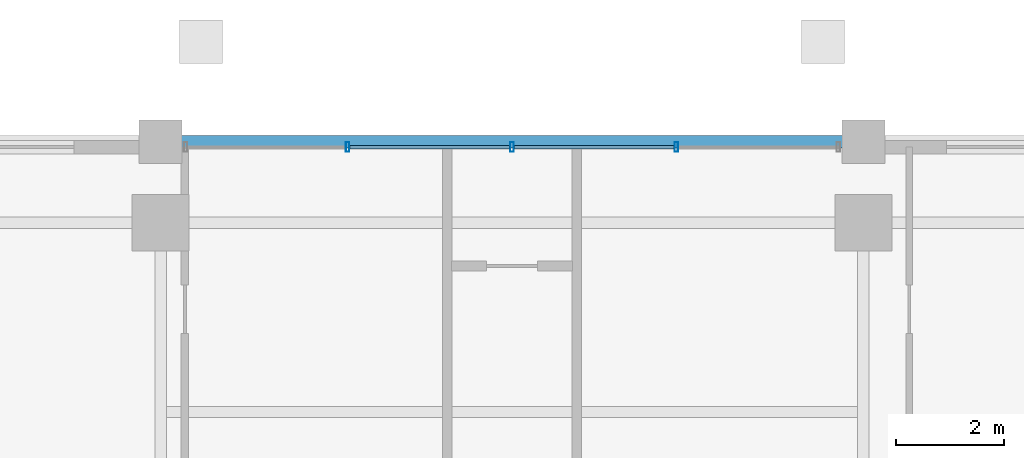
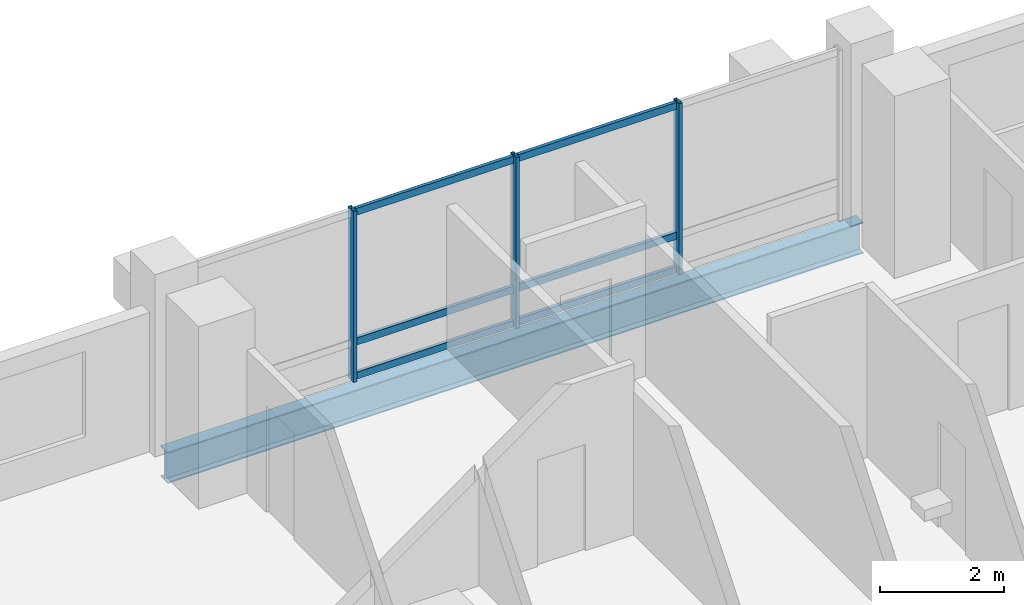
# One storey, part 15 of 24: 9 members, 1 beam, 1 element without a shape of its own.
"""IFC4 building model written with IfcOpenShell, lengths in metres."""

from ifc_helpers import new_model, si_unit, direction, frame, origin, origin_2d, place, context, subcontext, project, spatial, hollow_rectangle, i_section, extrude, material, layer, layer_set, material_profile, profile_set, type_object, element, aggregate, save


model = new_model("IFC4")

# Units and contexts
model_context = context("Model", 3, precision=1e-05, world=origin(), true_north=direction((0.0, 1.0)))
body_context = subcontext(model_context, "Body", "Model", "MODEL_VIEW")
ifc_project = project(units=[si_unit("LENGTHUNIT", "METRE"), si_unit("AREAUNIT", "SQUARE_METRE"), si_unit("VOLUMEUNIT", "CUBIC_METRE"), si_unit("PLANEANGLEUNIT", "RADIAN"), si_unit("MASSUNIT", "GRAM", prefix="KILO")], contexts=[model_context])

# Site, building, storey
site_placement = place(None, origin())
site = spatial("IfcSite", under=ifc_project, at=site_placement, CompositionType="ELEMENT")
building_placement = place(site_placement, origin())
building = spatial("IfcBuilding", under=site, at=building_placement, Name="Barlavira Tower and Art Museum", CompositionType="ELEMENT")
storey_placement = place(building_placement, frame((0.0, 0.0, 169.199951171875)))
storey = spatial("IfcBuildingStorey", under=building, at=storey_placement, Name="L43", CompositionType="ELEMENT", Elevation=169.199951171875)

# Curtain wall, members
ifc_material_1 = material(Name="Low-iron coastal laminated glass", Category="glass")
ifc_layer = layer(ifc_material_1, 0.199951171875, Name="Low-iron coastal laminated glass")
ifc_layer_set = layer_set([ifc_layer], Name="Low-iron coastal laminated glass")
curtain_wall_type = type_object("IfcCurtainWallType", Name="Pale-Metal Unitised Curtain Wall Zone 3", PredefinedType="NOTDEFINED", material=ifc_layer_set)
curtain_wall_placement = place(storey_placement, origin())
curtain_wall = element("IfcCurtainWall", 1, at=curtain_wall_placement, inside=storey, type_object=curtain_wall_type, Name="L43 Curtain Wall CW3-L43-N-B3", PredefinedType="NOTDEFINED")
ifc_material_2 = material(Name="Pale anodised aluminium", Category="aluminium")
ifc_material_profile_1 = material_profile(ifc_material_2, hollow_rectangle(XDim=0.06494140625, YDim=0.179931640625, WallThickness=0.00390625, at=origin_2d()), Name="ALU-MULL 65x180x4")
ifc_profile_set_1 = profile_set([ifc_material_profile_1], Name="Pale anodised aluminium")
member_type_1 = type_object("IfcMemberType", Name="Curtain Wall Pale-Metal Mullion 65x180", PredefinedType="MULLION", material=ifc_profile_set_1)
member_1_placement = place(storey_placement, frame((3.0400390625, 21.39990234375, 0.0), z_axis=(0.0, 0.0, 1.0), x_axis=(-1.0, 0.0, 0.0)))
member_1 = element("IfcMember", 2, at=member_1_placement, type_object=member_type_1, Name="CW3-L43-N-B3 Mullion 1", PredefinedType="MULLION", context=body_context, shape_type="SweptSolid", body=[
    extrude(hollow_rectangle(XDim=0.06494140625, YDim=0.179931640625, WallThickness=0.00390625, at=origin_2d()), origin(), (0.0, 0.0, 1.0), 3.380126953125),
])
member_2_placement = place(storey_placement, frame((0.0, 21.39990234375, 0.0), z_axis=(0.0, 0.0, 1.0), x_axis=(-1.0, 0.0, 0.0)))
member_2 = element("IfcMember", 3, at=member_2_placement, type_object=member_type_1, Name="CW3-L43-N-B3 Mullion 2", PredefinedType="MULLION", context=body_context, shape_type="SweptSolid", body=[
    extrude(hollow_rectangle(XDim=0.06494140625, YDim=0.179931640625, WallThickness=0.00390625, at=origin_2d()), origin(), (0.0, 0.0, 1.0), 3.380126953125),
])
member_3_placement = place(storey_placement, frame((-3.0400390625, 21.39990234375, 0.0), z_axis=(0.0, 0.0, 1.0), x_axis=(-1.0, 0.0, 0.0)))
member_3 = element("IfcMember", 4, at=member_3_placement, type_object=member_type_1, Name="CW3-L43-N-B3 Mullion 3", PredefinedType="MULLION", context=body_context, shape_type="SweptSolid", body=[
    extrude(hollow_rectangle(XDim=0.06494140625, YDim=0.179931640625, WallThickness=0.00390625, at=origin_2d()), origin(), (0.0, 0.0, 1.0), 3.380126953125),
])
ifc_material_profile_2 = material_profile(ifc_material_2, hollow_rectangle(XDim=0.06494140625, YDim=0.139892578125, WallThickness=0.00390625, at=origin_2d()), Name="ALU-TRAN 65x140x4")
ifc_profile_set_2 = profile_set([ifc_material_profile_2], Name="Pale anodised aluminium")
member_type_2 = type_object("IfcMemberType", Name="Curtain Wall Pale-Metal Transom 65x140", PredefinedType="USERDEFINED", material=ifc_profile_set_2)
member_4_placement = place(storey_placement, frame((2.9951171875, 21.39990234375, 0.070068359375), z_axis=(-1.0, 0.0, 0.0), x_axis=(0.0, -1.0, 0.0)))
member_4 = element("IfcMember", 5, at=member_4_placement, type_object=member_type_2, Name="CW3-L43-N-B3 Transom 1.1", ObjectType="TRANSOM", PredefinedType="USERDEFINED", context=body_context, shape_type="SweptSolid", body=[
    extrude(hollow_rectangle(XDim=0.06494140625, YDim=0.139892578125, WallThickness=0.00390625, at=origin_2d()), origin(), (0.0, 0.0, 1.0), 2.9501953125),
])
member_5_placement = place(storey_placement, frame((2.9951171875, 21.39990234375, 0.744140625), z_axis=(-1.0, 0.0, 0.0), x_axis=(0.0, -1.0, 0.0)))
member_5 = element("IfcMember", 6, at=member_5_placement, type_object=member_type_2, Name="CW3-L43-N-B3 Transom 1.2", ObjectType="TRANSOM", PredefinedType="USERDEFINED", context=body_context, shape_type="SweptSolid", body=[
    extrude(hollow_rectangle(XDim=0.06494140625, YDim=0.139892578125, WallThickness=0.00390625, at=origin_2d()), origin(), (0.0, 0.0, 1.0), 2.9501953125),
])
member_6_placement = place(storey_placement, frame((2.9951171875, 21.39990234375, 3.31005859375), z_axis=(-1.0, 0.0, 0.0), x_axis=(0.0, -1.0, 0.0)))
member_6 = element("IfcMember", 7, at=member_6_placement, type_object=member_type_2, Name="CW3-L43-N-B3 Transom 1.3", ObjectType="TRANSOM", PredefinedType="USERDEFINED", context=body_context, shape_type="SweptSolid", body=[
    extrude(hollow_rectangle(XDim=0.06494140625, YDim=0.139892578125, WallThickness=0.00390625, at=origin_2d()), origin(), (0.0, 0.0, 1.0), 2.9501953125),
])
member_7_placement = place(storey_placement, frame((-0.044921875, 21.39990234375, 0.070068359375), z_axis=(-1.0, 0.0, 0.0), x_axis=(0.0, -1.0, 0.0)))
member_7 = element("IfcMember", 8, at=member_7_placement, type_object=member_type_2, Name="CW3-L43-N-B3 Transom 2.1", ObjectType="TRANSOM", PredefinedType="USERDEFINED", context=body_context, shape_type="SweptSolid", body=[
    extrude(hollow_rectangle(XDim=0.06494140625, YDim=0.139892578125, WallThickness=0.00390625, at=origin_2d()), origin(), (0.0, 0.0, 1.0), 2.9501953125),
])
member_8_placement = place(storey_placement, frame((-0.044921875, 21.39990234375, 0.744140625), z_axis=(-1.0, 0.0, 0.0), x_axis=(0.0, -1.0, 0.0)))
member_8 = element("IfcMember", 9, at=member_8_placement, type_object=member_type_2, Name="CW3-L43-N-B3 Transom 2.2", ObjectType="TRANSOM", PredefinedType="USERDEFINED", context=body_context, shape_type="SweptSolid", body=[
    extrude(hollow_rectangle(XDim=0.06494140625, YDim=0.139892578125, WallThickness=0.00390625, at=origin_2d()), origin(), (0.0, 0.0, 1.0), 2.9501953125),
])
member_9_placement = place(storey_placement, frame((-0.044921875, 21.39990234375, 3.31005859375), z_axis=(-1.0, 0.0, 0.0), x_axis=(0.0, -1.0, 0.0)))
member_9 = element("IfcMember", 10, at=member_9_placement, type_object=member_type_2, Name="CW3-L43-N-B3 Transom 2.3", ObjectType="TRANSOM", PredefinedType="USERDEFINED", context=body_context, shape_type="SweptSolid", body=[
    extrude(hollow_rectangle(XDim=0.06494140625, YDim=0.139892578125, WallThickness=0.00390625, at=origin_2d()), origin(), (0.0, 0.0, 1.0), 2.9501953125),
])
aggregate(curtain_wall, [member_1, member_2, member_3, member_4, member_5, member_6, member_7, member_8, member_9])

# Beam
ifc_material_3 = material(Name="Steel S355", Category="steel")
ifc_material_profile_3 = material_profile(ifc_material_3, i_section(OverallWidth=0.22998046875, OverallDepth=0.616943359375, WebThickness=0.01318359375, FlangeThickness=0.022216796875, at=origin_2d()), Name="W610x140.0")
ifc_profile_set_3 = profile_set([ifc_material_profile_3], Name="Steel S355")
beam_type = type_object("IfcBeamType", Name="Upper Shaft Spandrel Edge Beam W610x140 Steel S355", PredefinedType="SPANDREL", material=ifc_profile_set_3)
beam_placement = place(storey_placement, frame((-6.5, 21.5, -0.528564453125), z_axis=(1.0, 0.0, 0.0), x_axis=(0.0, 1.0, 0.0)))
element("IfcBeam", 11, at=beam_placement, inside=storey, type_object=beam_type, Name="L43 Spandrel 10", PredefinedType="SPANDREL", context=body_context, shape_type="SweptSolid", body=[
    extrude(i_section(OverallWidth=0.22998046875, OverallDepth=0.616943359375, WebThickness=0.01318359375, FlangeThickness=0.022216796875, at=origin_2d()), origin(), (0.0, 0.0, 1.0), 13.0),
])

save(model, "model.ifc")
